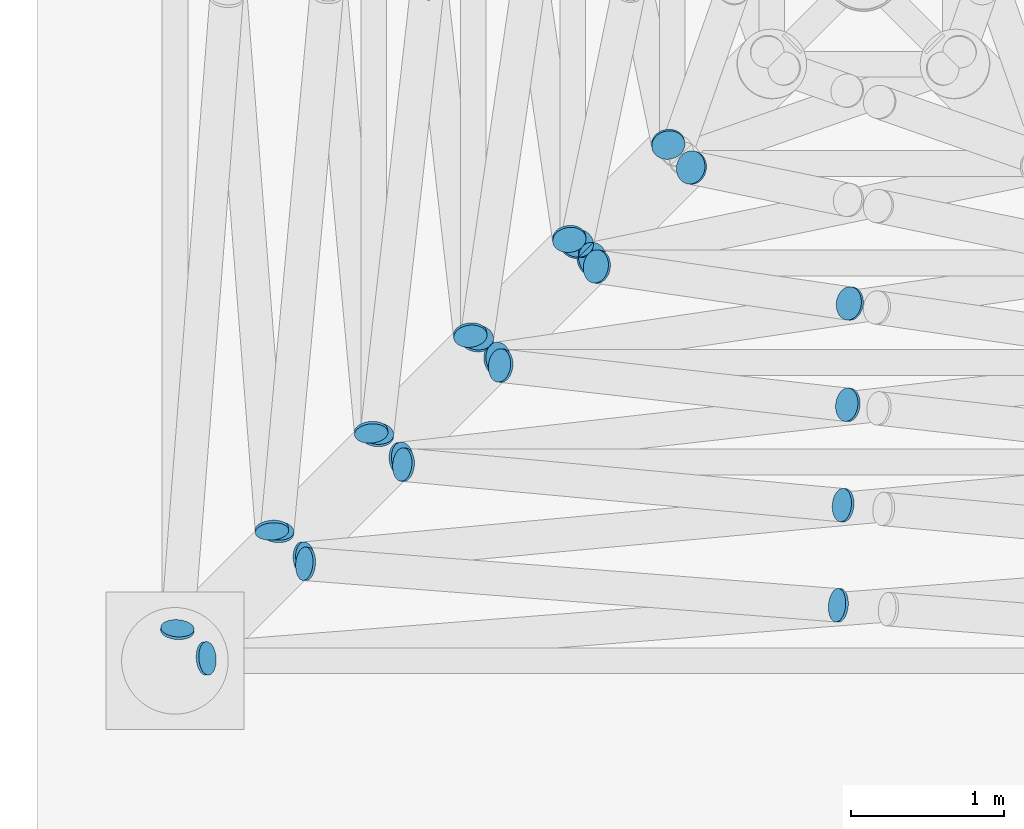
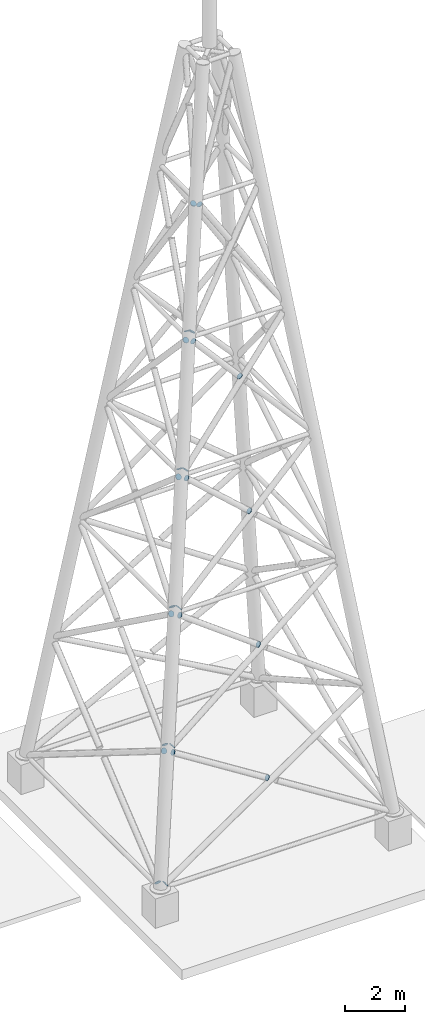
# One storey, part 3 of 10: 24 discrete accessories.
"""IFC4 building model written with IfcOpenShell, lengths in metres."""

from ifc_helpers import new_model, si_unit, direction, frame, origin, origin_2d, place, context, subcontext, project, spatial, circle, extrude, material, material_profile, profile_set, type_object, element, save


model = new_model("IFC4")

# Units and contexts
model_context = context("Model", 3, precision=1e-05, world=origin(), true_north=direction((0.0, 1.0)))
body_context = subcontext(model_context, "Body", "Model", "MODEL_VIEW")
ifc_project = project(units=[si_unit("LENGTHUNIT", "METRE"), si_unit("AREAUNIT", "SQUARE_METRE"), si_unit("VOLUMEUNIT", "CUBIC_METRE"), si_unit("PLANEANGLEUNIT", "RADIAN"), si_unit("MASSUNIT", "GRAM", prefix="KILO")], contexts=[model_context])

# Site, building, storey
site_placement = place(None, origin())
site = spatial("IfcSite", under=ifc_project, at=site_placement, CompositionType="ELEMENT")
building_placement = place(site_placement, origin())
building = spatial("IfcBuilding", under=site, at=building_placement, Name="Dhurran Vertical Campus", CompositionType="ELEMENT")
storey_placement = place(building_placement, frame((0.0, 0.0, 345.89990234375)))
storey = spatial("IfcBuildingStorey", under=building, at=storey_placement, Name="Upper Roof", CompositionType="ELEMENT", Elevation=345.89990234375)

# Discrete accessories
ifc_material = material(Name="Steel S355J2", Category="steel")
ifc_material_profile = material_profile(ifc_material, circle(Radius=0.109619140625, at=origin_2d()), Name="Tube end cap 219 x 20")
ifc_profile_set = profile_set([ifc_material_profile], Name="Steel S355J2")
discrete_accessory_type = type_object("IfcDiscreteAccessoryType", Name="Tube end cap 219 x 20", PredefinedType="USERDEFINED", material=ifc_profile_set)
for number, where, z_axis, x_axis, name in (
    (1, (-4.287353515625, -4.4833984375, 1.7275390625), (-0.855888994553, -0.061134928182, -0.513533396732), (0.071247049988, -0.997458699831, 0.0), "EC1 mast diag 0 001 capA"),
    (2, (-0.17236328125, -4.13623046875, 4.39794921875), (0.855186110494, -0.073301666614, -0.513111666296), (0.085401141346, 0.996346649042, 0.0), "EC1 mast diag 0 003 capA"),
    (3, (-3.63720703125, -3.86669921875, 6.47265625), (-0.855186110494, 0.073301666614, 0.513111666296), (-0.085401141346, -0.996346649042, 0.0), "EC1 mast diag 0 003 capB"),
    (4, (-3.86669921875, -3.63720703125, 6.47265625), (0.073301666614, -0.855186110494, 0.513111666296), (0.996346649042, 0.085401141346, 0.0), "EC1 mast diag 0 010 capB"),
    (5, (-4.4833984375, -4.287353515625, 1.7275390625), (-0.061134928182, -0.855888994553, -0.513533396732), (0.997458699831, -0.071247049988, 0.0), "EC1 mast diag 0 011 capA"),
    (6, (-3.64794921875, -3.831298828125, 6.743408203125), (-0.815679312277, -0.085220226656, -0.572192950404), (0.103912021641, -0.994586492849, 0.0), "EC1 mast diag 1 013 capA"),
    (7, (-0.140869140625, -3.48193359375, 9.430419921875), (0.816466267899, -0.0731163822, -0.572744993899), (0.08919529755, 0.996014155971, 0.0), "EC1 mast diag 1 015 capA"),
    (8, (-2.997802734375, -3.218505859375, 11.456787109375), (-0.816466267899, 0.0731163822, 0.572744993899), (-0.08919529755, -0.996014155971, 0.0), "EC1 mast diag 1 015 capB"),
    (9, (-3.218505859375, -2.997802734375, 11.456787109375), (0.0731163822, -0.816466267899, 0.572744993899), (0.996014155971, 0.08919529755, 0.0), "EC1 mast diag 1 022 capB"),
    (10, (-3.831298828125, -3.64794921875, 6.743408203125), (-0.085220226656, -0.815679312277, -0.572192950404), (0.994586492849, -0.103912021641, 0.0), "EC1 mast diag 1 023 capA"),
):
    element("IfcDiscreteAccessory", number, at=place(storey_placement, frame(where, z_axis=z_axis, x_axis=x_axis)), inside=storey, type_object=discrete_accessory_type, Name=name, ObjectType="END CAP", PredefinedType="USERDEFINED", context=body_context, shape_type="SweptSolid", body=[
        extrude(circle(Radius=0.109619140625, at=origin_2d()), origin(), (0.0, 0.0, 1.0), 0.02001953125),
    ])
discrete_accessory_1_placement = place(storey_placement, frame((-3.01318359375, -3.178955078125, 11.7626953125), z_axis=(-0.751363376263, -0.084831348933, -0.654413263197), x_axis=(0.112190436608, -0.993686724241, 0.0)))
element("IfcDiscreteAccessory", 11, at=discrete_accessory_1_placement, inside=storey, type_object=discrete_accessory_type, Name="EC1 mast diag 2 025 capA", ObjectType="END CAP", PredefinedType="USERDEFINED", context=body_context, shape_type="SweptSolid", body=[
    extrude(circle(Radius=0.109619140625, at=origin_2d()), origin(), (0.0, 0.0, 1.0), 0.020263671875),
])
for number, where, z_axis, x_axis, name in (
    (12, (-0.10888671875, -2.825927734375, 14.4775390625), (0.746013435179, -0.085608099119, -0.66040533606), (0.114005909847, 0.993480071526, 0.0), "EC1 mast diag 2 027 capA"),
    (13, (-2.36328125, -2.571044921875, 16.4375), (-0.746013435179, 0.085608099119, 0.66040533606), (-0.114005909847, -0.993480071526, 0.0), "EC1 mast diag 2 027 capB"),
    (14, (-2.571044921875, -2.36328125, 16.4375), (0.085608099119, -0.746013435179, 0.66040533606), (0.993480071526, 0.114005909847, 0.0), "EC1 mast diag 2 034 capB"),
):
    element("IfcDiscreteAccessory", number, at=place(storey_placement, frame(where, z_axis=z_axis, x_axis=x_axis)), inside=storey, type_object=discrete_accessory_type, Name=name, ObjectType="END CAP", PredefinedType="USERDEFINED", context=body_context, shape_type="SweptSolid", body=[
        extrude(circle(Radius=0.109619140625, at=origin_2d()), origin(), (0.0, 0.0, 1.0), 0.02001953125),
    ])
discrete_accessory_2_placement = place(storey_placement, frame((-3.178955078125, -3.01318359375, 11.7626953125), z_axis=(-0.084831348933, -0.751363376263, -0.654413263197), x_axis=(0.993686724241, -0.112190436608, 0.0)))
element("IfcDiscreteAccessory", 15, at=discrete_accessory_2_placement, inside=storey, type_object=discrete_accessory_type, Name="EC1 mast diag 2 035 capA", ObjectType="END CAP", PredefinedType="USERDEFINED", context=body_context, shape_type="SweptSolid", body=[
    extrude(circle(Radius=0.109619140625, at=origin_2d()), origin(), (0.0, 0.0, 1.0), 0.020263671875),
])
for number, where, z_axis, x_axis, name in (
    (16, (-2.385498046875, -2.52587890625, 16.784912109375), (-0.659665772572, -0.097728262603, -0.74517800235), (0.146548661089, -0.989203462354, 0.0), "EC1 mast diag 3 037 capA"),
    (17, (-0.095458984375, -2.16357421875, 19.572509765625), (0.659665772572, -0.097728262603, -0.74517800235), (0.146548661089, 0.989203462354, 0.0), "EC1 mast diag 3 039 capA"),
    (18, (-1.735595703125, -1.924072265625, 21.415283203125), (-0.659665772572, 0.097728262603, 0.74517800235), (-0.146548661089, -0.989203462354, 0.0), "EC1 mast diag 3 039 capB"),
    (19, (-1.924072265625, -1.735595703125, 21.415283203125), (0.097728262603, -0.659665772572, 0.74517800235), (0.989203462354, 0.146548661089, 0.0), "EC1 mast diag 3 046 capB"),
    (20, (-2.52587890625, -2.385498046875, 16.784912109375), (-0.097728262603, -0.659665772572, -0.74517800235), (0.989203462354, -0.146548661089, 0.0), "EC1 mast diag 3 047 capA"),
    (21, (-1.768310546875, -1.872802734375, 21.80908203125), (-0.525681799245, -0.110026423098, -0.843535910417), (0.204863154123, -0.978790625253, 0.0), "EC1 mast diag 4 049 capA"),
    (22, (-1.118408203125, -1.277099609375, 26.39111328125), (-0.525681799245, 0.110026423098, 0.843535910417), (-0.204863154123, -0.978790625253, 0.0), "EC1 mast diag 4 051 capB"),
    (23, (-1.277099609375, -1.118408203125, 26.39111328125), (0.110026423098, -0.525681799245, 0.843535910417), (0.978790625253, 0.204863154123, 0.0), "EC1 mast diag 4 058 capB"),
    (24, (-1.872802734375, -1.768310546875, 21.80908203125), (-0.110026423098, -0.525681799245, -0.843535910417), (0.978790625253, -0.204863154123, 0.0), "EC1 mast diag 4 059 capA"),
):
    element("IfcDiscreteAccessory", number, at=place(storey_placement, frame(where, z_axis=z_axis, x_axis=x_axis)), inside=storey, type_object=discrete_accessory_type, Name=name, ObjectType="END CAP", PredefinedType="USERDEFINED", context=body_context, shape_type="SweptSolid", body=[
        extrude(circle(Radius=0.109619140625, at=origin_2d()), origin(), (0.0, 0.0, 1.0), 0.02001953125),
    ])

save(model, "model.ifc")
